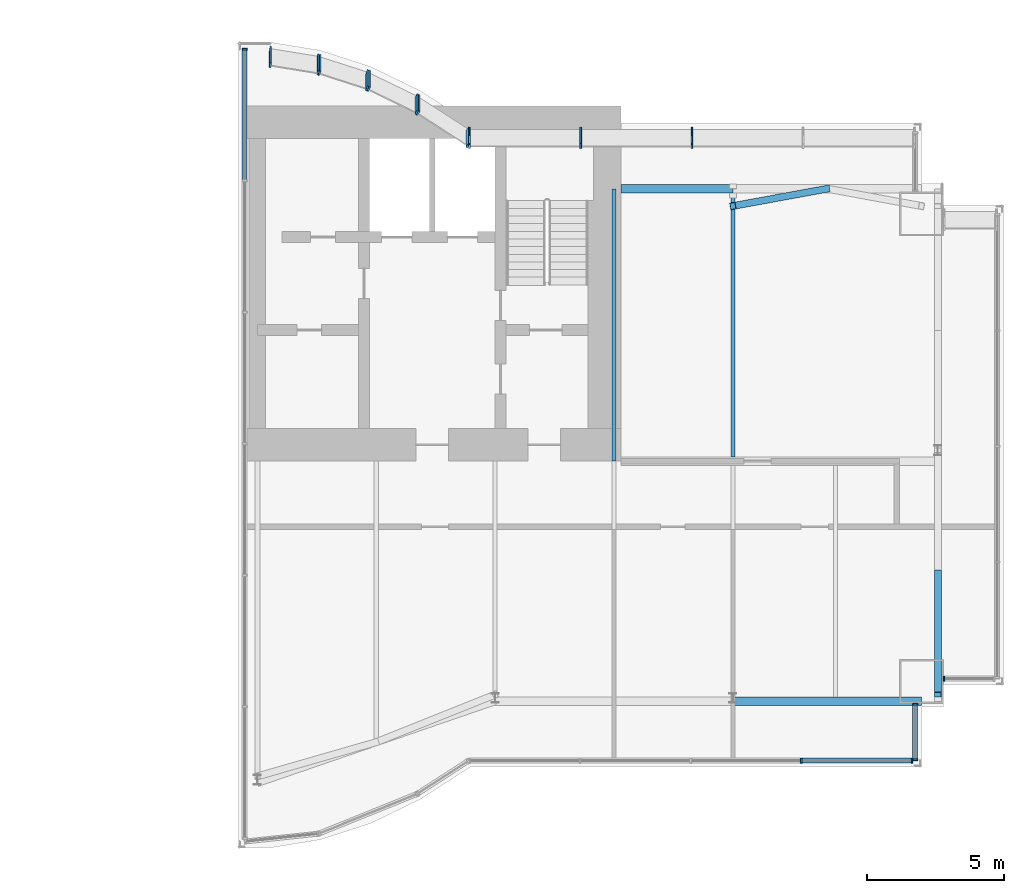
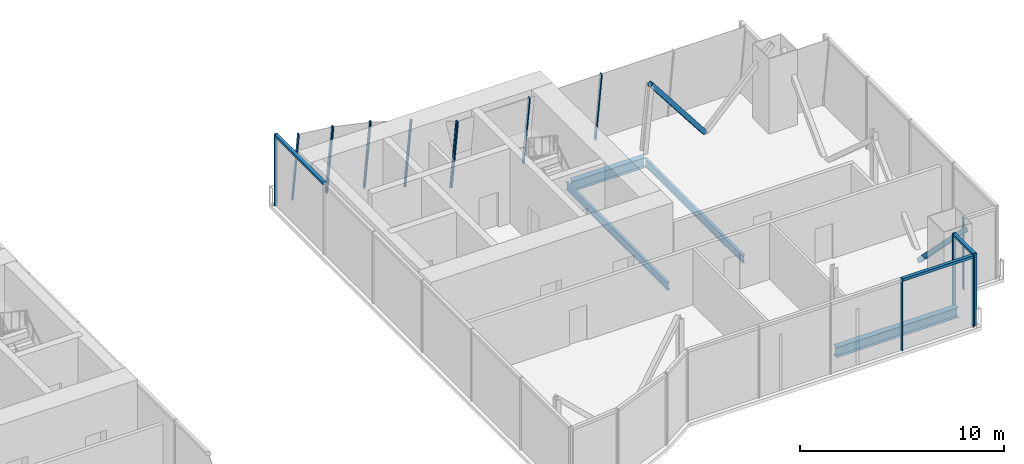
# One storey, part 6 of 14: 22 members, 4 beams, 9 elements without a shape of their own.
"""IFC4 building model written with IfcOpenShell, lengths in metres."""

from ifc_helpers import new_model, si_unit, direction, frame, origin, origin_2d, place, context, subcontext, project, spatial, rectangle, hollow_rectangle, i_section, extrude, material, material_profile, profile_set, type_object, element, aggregate, save


model = new_model("IFC4")

# Units and contexts
model_context = context("Model", 3, precision=1e-05, world=origin(), true_north=direction((0.0, 1.0)))
body_context = subcontext(model_context, "Body", "Model", "MODEL_VIEW")
ifc_project = project(units=[si_unit("LENGTHUNIT", "METRE"), si_unit("AREAUNIT", "SQUARE_METRE"), si_unit("VOLUMEUNIT", "CUBIC_METRE"), si_unit("PLANEANGLEUNIT", "RADIAN"), si_unit("MASSUNIT", "GRAM", prefix="KILO")], contexts=[model_context])

# Site, building, storey
site_placement = place(None, origin())
site = spatial("IfcSite", under=ifc_project, at=site_placement, CompositionType="ELEMENT")
building_placement = place(site_placement, origin())
building = spatial("IfcBuilding", under=site, at=building_placement, Name="Bicima Exchange Tower", CompositionType="ELEMENT")
storey_placement = place(building_placement, frame((0.0, 0.0, 352.39990234375)))
storey = spatial("IfcBuildingStorey", under=building, at=storey_placement, Name="L79", CompositionType="ELEMENT", Elevation=352.39990234375)

# Curtain wall, member
ifc_material_1 = material(Name="Anodised bronze aluminium", Category="aluminium")
curtain_wall_type = type_object("IfcCurtainWallType", Name="Crown glass wall", PredefinedType="NOTDEFINED", material=ifc_material_1)
curtain_wall_1_placement = place(storey_placement, origin())
curtain_wall_1 = element("IfcCurtainWall", 1, at=curtain_wall_1_placement, inside=storey, type_object=curtain_wall_type, Name="Crown glass wall L79 run 8", PredefinedType="NOTDEFINED")
ifc_material_profile_1 = material_profile(ifc_material_1, rectangle(XDim=0.179931640625, YDim=0.06005859375, at=origin_2d()))
ifc_profile_set_1 = profile_set([ifc_material_profile_1], Name="Anodised bronze aluminium")
member_type_1 = type_object("IfcMemberType", Name="Crown glass wall mullion 60 x 180", PredefinedType="MULLION", material=ifc_profile_set_1)
member_1_placement = place(storey_placement, frame((8.22998046875, 2.070556640625, 0.0), z_axis=(0.0, 0.0, 1.0), x_axis=(1.0, 0.0, 0.0)))
member_1 = element("IfcMember", 2, at=member_1_placement, type_object=member_type_1, Name="Crown glass wall mullion 1", PredefinedType="MULLION", context=body_context, shape_type="SweptSolid", body=[
    extrude(rectangle(XDim=0.179931640625, YDim=0.06005859375, at=origin_2d()), origin(), (0.0, 0.0, 1.0), 4.300048828125),
])

# Curtain wall, members
curtain_wall_2_placement = place(storey_placement, origin())
curtain_wall_2 = element("IfcCurtainWall", 3, at=curtain_wall_2_placement, inside=storey, type_object=curtain_wall_type, Name="Crown glass wall L79 run 12", PredefinedType="NOTDEFINED")
member_2_placement = place(storey_placement, frame((28.60302734375, -23.9580078125, 0.0), z_axis=(0.0, 0.0, 1.0), x_axis=(0.0, 1.0, 0.0)))
member_2 = element("IfcMember", 4, at=member_2_placement, type_object=member_type_1, Name="Crown glass wall mullion 4", PredefinedType="MULLION", context=body_context, shape_type="SweptSolid", body=[
    extrude(rectangle(XDim=0.179931640625, YDim=0.06005859375, at=origin_2d()), origin(), (0.0, 0.0, 1.0), 4.300048828125),
])
member_3_placement = place(storey_placement, frame((32.64990234375, -23.9580078125, 0.0), z_axis=(0.0, 0.0, 1.0), x_axis=(0.0, 1.0, 0.0)))
member_3 = element("IfcMember", 5, at=member_3_placement, type_object=member_type_1, Name="Crown glass wall mullion 5", PredefinedType="MULLION", context=body_context, shape_type="SweptSolid", body=[
    extrude(rectangle(XDim=0.179931640625, YDim=0.06005859375, at=origin_2d()), origin(), (0.0, 0.0, 1.0), 4.300048828125),
])

curtain_wall_3_placement = place(storey_placement, origin())
curtain_wall_3 = element("IfcCurtainWall", 6, at=curtain_wall_3_placement, inside=storey, type_object=curtain_wall_type, Name="Crown glass wall L79 run 13", PredefinedType="NOTDEFINED")
member_4_placement = place(storey_placement, frame((32.77001953125, -23.927978515625, 0.0), z_axis=(0.0, 0.0, 1.0), x_axis=(-1.0, 0.0, 0.0)))
member_4 = element("IfcMember", 7, at=member_4_placement, type_object=member_type_1, Name="Crown glass wall mullion 1", PredefinedType="MULLION", context=body_context, shape_type="SweptSolid", body=[
    extrude(rectangle(XDim=0.179931640625, YDim=0.06005859375, at=origin_2d()), origin(), (0.0, 0.0, 1.0), 4.300048828125),
])
member_5_placement = place(storey_placement, frame((32.77001953125, -21.89599609375, 0.0), z_axis=(0.0, 0.0, 1.0), x_axis=(-1.0, 0.0, 0.0)))
member_5 = element("IfcMember", 8, at=member_5_placement, type_object=member_type_1, Name="Crown glass wall mullion 2", PredefinedType="MULLION", context=body_context, shape_type="SweptSolid", body=[
    extrude(rectangle(XDim=0.179931640625, YDim=0.06005859375, at=origin_2d()), origin(), (0.0, 0.0, 1.0), 4.300048828125),
])

# Curtain wall, member
curtain_wall_4_placement = place(storey_placement, origin())
curtain_wall_4 = element("IfcCurtainWall", 9, at=curtain_wall_4_placement, inside=storey, type_object=curtain_wall_type, Name="Crown glass wall L79 run 14", PredefinedType="NOTDEFINED")
member_6_placement = place(storey_placement, frame((33.830078125, -20.9580078125, 0.0), z_axis=(0.0, 0.0, 1.0), x_axis=(0.0, 1.0, 0.0)))
member_6 = element("IfcMember", 10, at=member_6_placement, type_object=member_type_1, Name="Crown glass wall mullion 1", PredefinedType="MULLION", context=body_context, shape_type="SweptSolid", body=[
    extrude(rectangle(XDim=0.179931640625, YDim=0.06005859375, at=origin_2d()), origin(), (0.0, 0.0, 1.0), 4.300048828125),
])
aggregate(curtain_wall_4, [member_6])

# Curtain wall, members
curtain_wall_5_placement = place(storey_placement, origin())
curtain_wall_5 = element("IfcCurtainWall", 11, at=curtain_wall_5_placement, inside=storey, type_object=curtain_wall_type, Name="Crown tilted glass L79 2.1", PredefinedType="NOTDEFINED")
member_7_placement = place(storey_placement, frame((24.60107421875, -0.8623046875, 0.0), z_axis=(0.0, -0.139209174124, 0.990262998319), x_axis=(0.0, -0.990262998319, -0.139209174124)))
member_7 = element("IfcMember", 12, at=member_7_placement, type_object=member_type_1, Name="Crown tilted mullion 3", PredefinedType="MULLION", context=body_context, shape_type="SweptSolid", body=[
    extrude(rectangle(XDim=0.179931640625, YDim=0.06005859375, at=origin_2d()), origin(), (0.0, 0.0, 1.0), 4.34228515625),
])
member_8_placement = place(storey_placement, frame((20.531494140625, -0.8623046875, 0.0), z_axis=(0.0, -0.139209174124, 0.990262998319), x_axis=(0.0, -0.990262998319, -0.139209174124)))
member_8 = element("IfcMember", 13, at=member_8_placement, type_object=member_type_1, Name="Crown tilted mullion 4", PredefinedType="MULLION", context=body_context, shape_type="SweptSolid", body=[
    extrude(rectangle(XDim=0.179931640625, YDim=0.06005859375, at=origin_2d()), origin(), (0.0, 0.0, 1.0), 4.34228515625),
])
member_9_placement = place(storey_placement, frame((16.462158203125, -0.8623046875, 0.0), z_axis=(0.0, -0.139209174124, 0.990262998319), x_axis=(0.0, -0.990262998319, -0.139209174124)))
member_9 = element("IfcMember", 14, at=member_9_placement, type_object=member_type_1, Name="Crown tilted mullion 5", PredefinedType="MULLION", context=body_context, shape_type="SweptSolid", body=[
    extrude(rectangle(XDim=0.179931640625, YDim=0.06005859375, at=origin_2d()), origin(), (0.0, 0.0, 1.0), 4.34228515625),
])
aggregate(curtain_wall_5, [member_7, member_8, member_9])

curtain_wall_6_placement = place(storey_placement, origin())
curtain_wall_6 = element("IfcCurtainWall", 15, at=curtain_wall_6_placement, inside=storey, type_object=curtain_wall_type, Name="Crown tilted glass L79 3.1", PredefinedType="NOTDEFINED")
member_10_placement = place(storey_placement, frame((16.406982421875, -0.84619140625, 0.0), z_axis=(0.0, -0.139154039626, 0.99027074745), x_axis=(-0.542910648791, -0.831619932848, -0.116860235837)))
member_10 = element("IfcMember", 16, at=member_10_placement, type_object=member_type_1, Name="Crown tilted mullion 1", PredefinedType="MULLION", context=body_context, shape_type="SweptSolid", body=[
    extrude(rectangle(XDim=0.179931640625, YDim=0.06005859375, at=origin_2d()), origin(), (0.0, 0.0, 1.0), 4.34228515625),
])
member_11_placement = place(storey_placement, frame((14.578857421875, 0.335693359375, 0.0), z_axis=(0.0, -0.139154039626, 0.99027074745), x_axis=(-0.542910648791, -0.831619932848, -0.116860235837)))
member_11 = element("IfcMember", 17, at=member_11_placement, type_object=member_type_1, Name="Crown tilted mullion 2", PredefinedType="MULLION", context=body_context, shape_type="SweptSolid", body=[
    extrude(rectangle(XDim=0.179931640625, YDim=0.06005859375, at=origin_2d()), origin(), (0.0, 0.0, 1.0), 4.34228515625),
])
aggregate(curtain_wall_6, [member_10, member_11])

curtain_wall_7_placement = place(storey_placement, origin())
curtain_wall_7 = element("IfcCurtainWall", 18, at=curtain_wall_7_placement, inside=storey, type_object=curtain_wall_type, Name="Crown tilted glass L79 4.1", PredefinedType="NOTDEFINED")
member_12_placement = place(storey_placement, frame((14.526611328125, 0.364990234375, 0.0), z_axis=(0.0, -0.139154039626, 0.99027074745), x_axis=(-0.436225499807, -0.891082636457, -0.125216006656)))
member_12 = element("IfcMember", 19, at=member_12_placement, type_object=member_type_1, Name="Crown tilted mullion 1", PredefinedType="MULLION", context=body_context, shape_type="SweptSolid", body=[
    extrude(rectangle(XDim=0.179931640625, YDim=0.06005859375, at=origin_2d()), origin(), (0.0, 0.0, 1.0), 4.34228515625),
])
member_13_placement = place(storey_placement, frame((12.7744140625, 1.214599609375, 0.0), z_axis=(0.0, -0.139154039626, 0.99027074745), x_axis=(-0.436225499807, -0.891082636457, -0.125216006656)))
member_13 = element("IfcMember", 20, at=member_13_placement, type_object=member_type_1, Name="Crown tilted mullion 2", PredefinedType="MULLION", context=body_context, shape_type="SweptSolid", body=[
    extrude(rectangle(XDim=0.179931640625, YDim=0.06005859375, at=origin_2d()), origin(), (0.0, 0.0, 1.0), 4.34228515625),
])
aggregate(curtain_wall_7, [member_12, member_13])

curtain_wall_8_placement = place(storey_placement, origin())
curtain_wall_8 = element("IfcCurtainWall", 21, at=curtain_wall_8_placement, inside=storey, type_object=curtain_wall_type, Name="Crown tilted glass L79 5.1", PredefinedType="NOTDEFINED")
member_14_placement = place(storey_placement, frame((12.71875, 1.23681640625, 0.0), z_axis=(0.0, -0.139154039626, 0.99027074745), x_axis=(-0.307572519808, -0.942267018828, -0.132408497791)))
member_14 = element("IfcMember", 22, at=member_14_placement, type_object=member_type_1, Name="Crown tilted mullion 1", PredefinedType="MULLION", context=body_context, shape_type="SweptSolid", body=[
    extrude(rectangle(XDim=0.179931640625, YDim=0.06005859375, at=origin_2d()), origin(), (0.0, 0.0, 1.0), 4.34228515625),
])
member_15_placement = place(storey_placement, frame((10.974609375, 1.80078125, 0.0), z_axis=(0.0, -0.139209174124, 0.990262998319), x_axis=(-0.307572519808, -0.942259645339, -0.132460959624)))
member_15 = element("IfcMember", 23, at=member_15_placement, type_object=member_type_1, Name="Crown tilted mullion 2", PredefinedType="MULLION", context=body_context, shape_type="SweptSolid", body=[
    extrude(rectangle(XDim=0.179931640625, YDim=0.06005859375, at=origin_2d()), origin(), (0.0, 0.0, 1.0), 4.34228515625),
])
aggregate(curtain_wall_8, [member_14, member_15])

curtain_wall_9_placement = place(storey_placement, origin())
curtain_wall_9 = element("IfcCurtainWall", 24, at=curtain_wall_9_placement, inside=storey, type_object=curtain_wall_type, Name="Crown tilted glass L79 6.1", PredefinedType="NOTDEFINED")
member_16_placement = place(storey_placement, frame((10.91650390625, 1.814697265625, 0.0), z_axis=(0.0, -0.139154039626, 0.99027074745), x_axis=(-0.159550386184, -0.977585167601, -0.137371446648)))
member_16 = element("IfcMember", 25, at=member_16_placement, type_object=member_type_1, Name="Crown tilted mullion 1", PredefinedType="MULLION", context=body_context, shape_type="SweptSolid", body=[
    extrude(rectangle(XDim=0.179931640625, YDim=0.06005859375, at=origin_2d()), origin(), (0.0, 0.0, 1.0), 4.34228515625),
])
member_17_placement = place(storey_placement, frame((9.177734375, 2.095703125, 0.0), z_axis=(0.0, -0.139154039626, 0.99027074745), x_axis=(-0.159550386184, -0.977585167601, -0.137371446648)))
member_17 = element("IfcMember", 26, at=member_17_placement, type_object=member_type_1, Name="Crown tilted mullion 2", PredefinedType="MULLION", context=body_context, shape_type="SweptSolid", body=[
    extrude(rectangle(XDim=0.179931640625, YDim=0.06005859375, at=origin_2d()), origin(), (0.0, 0.0, 1.0), 4.34228515625),
])
aggregate(curtain_wall_9, [member_16, member_17])

# Member
ifc_material_profile_2 = material_profile(ifc_material_1, rectangle(XDim=0.179931640625, YDim=0.159912109375, at=origin_2d()))
ifc_profile_set_2 = profile_set([ifc_material_profile_2], Name="Anodised bronze aluminium")
member_type_2 = type_object("IfcMemberType", Name="Crown glass wall transom 160 x 180", PredefinedType="USERDEFINED", material=ifc_profile_set_2)
member_18_placement = place(storey_placement, frame((8.22998046875, 2.04052734375, 4.22021484375), z_axis=(0.0, -1.0, 0.0), x_axis=(1.0, 0.0, 0.0)))
member_18 = element("IfcMember", 27, at=member_18_placement, type_object=member_type_2, Name="Crown glass wall transom 1.1", ObjectType="TRANSOM", PredefinedType="USERDEFINED", context=body_context, shape_type="SweptSolid", body=[
    extrude(rectangle(XDim=0.179931640625, YDim=0.159912109375, at=origin_2d()), origin(), (0.0, 0.0, 1.0), 4.751953125),
])

aggregate(curtain_wall_1, [member_1, member_18])

member_19_placement = place(storey_placement, frame((28.633056640625, -23.9580078125, 4.22021484375), z_axis=(1.0, 0.0, 0.0), x_axis=(0.0, 1.0, 0.0)))
member_19 = element("IfcMember", 28, at=member_19_placement, type_object=member_type_2, Name="Crown glass wall transom 4.1", ObjectType="TRANSOM", PredefinedType="USERDEFINED", context=body_context, shape_type="SweptSolid", body=[
    extrude(rectangle(XDim=0.179931640625, YDim=0.159912109375, at=origin_2d()), origin(), (0.0, 0.0, 1.0), 3.987060546875),
])

aggregate(curtain_wall_2, [member_2, member_3, member_19])

member_20_placement = place(storey_placement, frame((32.77001953125, -23.89794921875, 4.22021484375), z_axis=(0.0, 1.0, 0.0), x_axis=(-1.0, 0.0, 0.0)))
member_20 = element("IfcMember", 29, at=member_20_placement, type_object=member_type_2, Name="Crown glass wall transom 1.1", ObjectType="TRANSOM", PredefinedType="USERDEFINED", context=body_context, shape_type="SweptSolid", body=[
    extrude(rectangle(XDim=0.179931640625, YDim=0.159912109375, at=origin_2d()), origin(), (0.0, 0.0, 1.0), 1.971923828125),
])

aggregate(curtain_wall_3, [member_4, member_5, member_20])

# Beams
ifc_material_2 = material(Name="Steel ASTM A992 Gr 50", Category="steel")
ifc_material_profile_3 = material_profile(ifc_material_2, i_section(OverallWidth=0.15283203125, OverallDepth=0.45458984375, WebThickness=0.008056640625, FlangeThickness=0.013427734375, at=origin_2d()))
ifc_profile_set_3 = profile_set([ifc_material_profile_3], Name="Steel ASTM A992 Gr 50")
beam_type_1 = type_object("IfcBeamType", Name="Floor beam W18x40", PredefinedType="JOIST", material=ifc_profile_set_3)
beam_1_placement = place(storey_placement, frame((21.75, -3.032470703125, -0.42724609375), z_axis=(0.0, -1.0, 0.0), x_axis=(1.0, 0.0, 0.0)))
element("IfcBeam", 30, at=beam_1_placement, inside=storey, type_object=beam_type_1, Name="Floor beam", PredefinedType="JOIST", context=body_context, shape_type="SweptSolid", body=[
    extrude(i_section(OverallWidth=0.15283203125, OverallDepth=0.45458984375, WebThickness=0.008056640625, FlangeThickness=0.013427734375, at=origin_2d()), origin(), (0.0, 0.0, 1.0), 9.967529296875),
])
beam_2_placement = place(storey_placement, frame((26.10009765625, -3.195068359375, -0.42724609375), z_axis=(0.0, -1.0, 0.0), x_axis=(1.0, 0.0, 0.0)))
element("IfcBeam", 31, at=beam_2_placement, inside=storey, type_object=beam_type_1, Name="Floor beam", PredefinedType="JOIST", context=body_context, shape_type="SweptSolid", body=[
    extrude(i_section(OverallWidth=0.15283203125, OverallDepth=0.45458984375, WebThickness=0.008056640625, FlangeThickness=0.013427734375, at=origin_2d()), origin(), (0.0, 0.0, 1.0), 9.652587890625),
])
ifc_material_profile_4 = material_profile(ifc_material_2, i_section(OverallWidth=0.3251953125, OverallDepth=0.612060546875, WebThickness=0.0126953125, FlangeThickness=0.01904296875, at=origin_2d()))
ifc_profile_set_4 = profile_set([ifc_material_profile_4], Name="Steel ASTM A992 Gr 50")
beam_type_2 = type_object("IfcBeamType", Name="Front girder W24x104", PredefinedType="BEAM", material=ifc_profile_set_4)
beam_3_placement = place(storey_placement, frame((26.10009765625, -21.7880859375, -0.506103515625), z_axis=(1.0, 0.0, 0.0), x_axis=(0.0, 1.0, 0.0)))
element("IfcBeam", 32, at=beam_3_placement, inside=storey, type_object=beam_type_2, Name="Front girder", PredefinedType="BEAM", context=body_context, shape_type="SweptSolid", body=[
    extrude(i_section(OverallWidth=0.3251953125, OverallDepth=0.612060546875, WebThickness=0.0126953125, FlangeThickness=0.01904296875, at=origin_2d()), origin(), (0.0, 0.0, 1.0), 6.89990234375),
])

# Members
ifc_material_3 = material(Name="Steel ASTM A572 Gr 50", Category="steel")
ifc_material_profile_5 = material_profile(ifc_material_3, hollow_rectangle(XDim=0.25390625, YDim=0.25390625, WallThickness=0.01171875, at=origin_2d()))
ifc_profile_set_5 = profile_set([ifc_material_profile_5], Name="Steel ASTM A572 Gr 50")
member_type_3 = type_object("IfcMemberType", Name="Mega brace HSS10x10x1/2", PredefinedType="BRACE", material=ifc_profile_set_5)
member_21_placement = place(storey_placement, frame((29.550048828125, -3.032470703125, 0.0), z_axis=(-0.604677947117, -0.110828383202, 0.788721528644), x_axis=(0.180281850661, -0.983614992933, 0.0)))
element("IfcMember", 33, at=member_21_placement, inside=storey, type_object=member_type_3, Name="Mega brace rear", PredefinedType="BRACE", context=body_context, shape_type="SweptSolid", body=[
    extrude(hollow_rectangle(XDim=0.25390625, YDim=0.25390625, WallThickness=0.01171875, at=origin_2d()), origin(), (0.0, 0.0, 1.0), 5.705322265625),
])
member_22_placement = place(storey_placement, frame((33.60009765625, -17.072021484375, -0.546630859375), z_axis=(0.0, -0.701703897123, 0.712468694584), x_axis=(1.0, 0.0, 0.0)))
element("IfcMember", 34, at=member_22_placement, inside=storey, type_object=member_type_3, Name="Mega brace east end", PredefinedType="BRACE", context=body_context, shape_type="SweptSolid", body=[
    extrude(hollow_rectangle(XDim=0.25390625, YDim=0.25390625, WallThickness=0.01171875, at=origin_2d()), origin(), (0.0, 0.0, 1.0), 6.373046875),
])

# Beam
beam_type_3 = type_object("IfcBeamType", Name="Rear girder W24x104", PredefinedType="BEAM", material=ifc_profile_set_4)
beam_4_placement = place(storey_placement, frame((22.0, -3.032470703125, -0.506103515625), z_axis=(1.0, 0.0, 0.0), x_axis=(0.0, 1.0, 0.0)))
element("IfcBeam", 35, at=beam_4_placement, inside=storey, type_object=beam_type_3, Name="Rear girder", PredefinedType="BEAM", context=body_context, shape_type="SweptSolid", body=[
    extrude(i_section(OverallWidth=0.3251953125, OverallDepth=0.612060546875, WebThickness=0.0126953125, FlangeThickness=0.01904296875, at=origin_2d()), origin(), (0.0, 0.0, 1.0), 4.10009765625),
])

save(model, "model.ifc")
